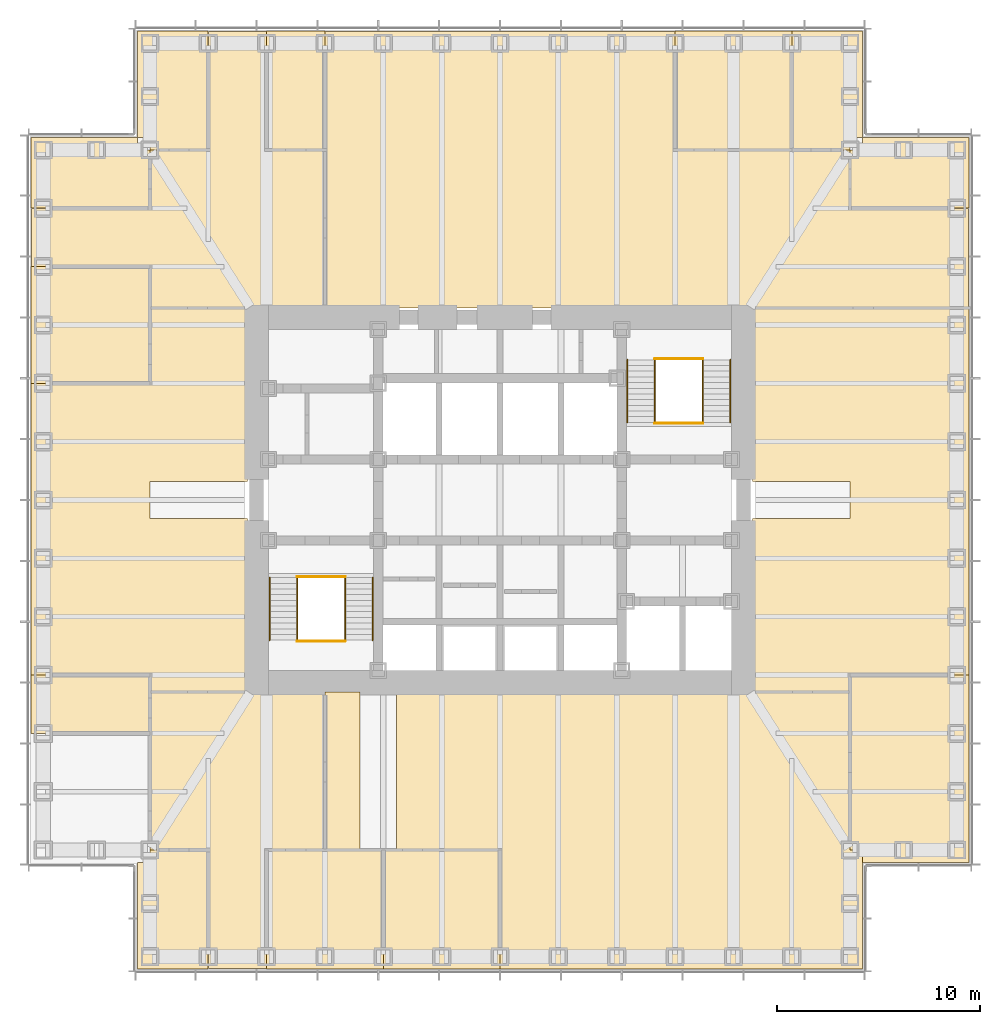
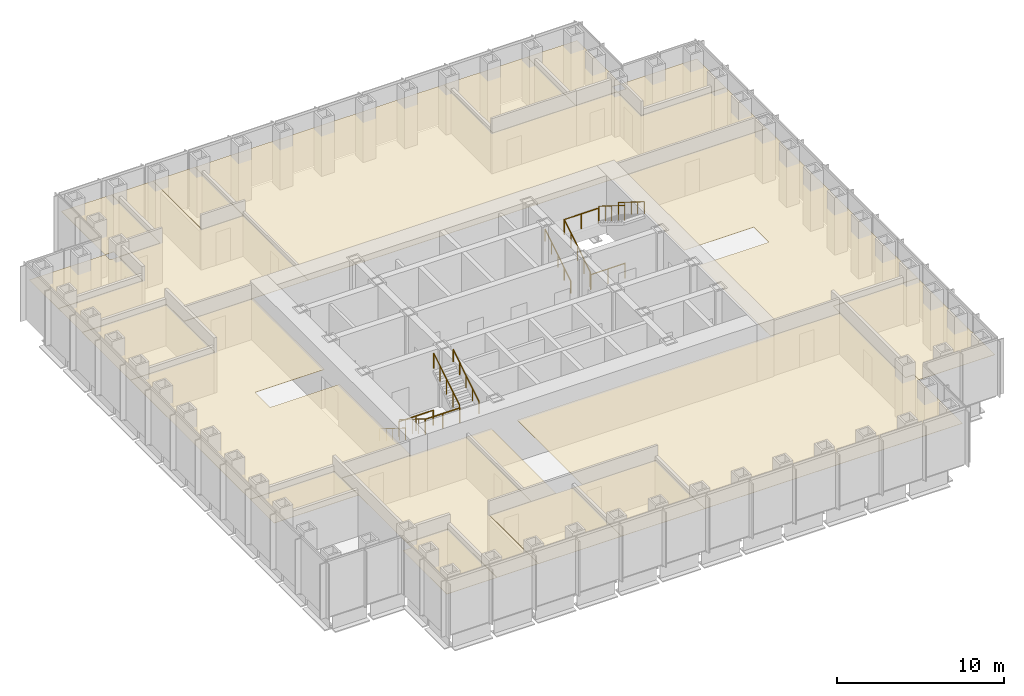
# One storey, part 17 of 17: 19 coverings, 12 railings.
"""IFC4 building model written with IfcOpenShell, lengths in metres."""

from ifc_helpers import new_model, si_unit, direction, frame, origin, origin_2d, place, context, subcontext, project, spatial, polyline, circle, outline, extrude, material, layer, layer_set, type_object, element, save


model = new_model("IFC4")

# Units and contexts
model_context = context("Model", 3, precision=1e-05, world=origin(), true_north=direction((0.0, 1.0)))
body_context = subcontext(model_context, "Body", "Model", "MODEL_VIEW")
ifc_project = project(units=[si_unit("LENGTHUNIT", "METRE"), si_unit("AREAUNIT", "SQUARE_METRE"), si_unit("VOLUMEUNIT", "CUBIC_METRE"), si_unit("PLANEANGLEUNIT", "RADIAN"), si_unit("MASSUNIT", "GRAM", prefix="KILO")], contexts=[model_context])

# Site, building, storey
site_placement = place(None, origin())
site = spatial("IfcSite", under=ifc_project, at=site_placement, CompositionType="ELEMENT")
building_placement = place(site_placement, origin())
building = spatial("IfcBuilding", under=site, at=building_placement, Name="Daluyong Arena Tower", CompositionType="ELEMENT")
storey_placement = place(building_placement, frame((0.0, 0.0, 154.300048828125)))
storey = spatial("IfcBuildingStorey", under=building, at=storey_placement, Name="L34", CompositionType="ELEMENT", Elevation=154.300048828125)

# Coverings
ifc_material_1 = material(Name="Mineral fibre ceiling tile", Category="gypsum board")
ifc_layer = layer(ifc_material_1, 0.02001953125)
ifc_layer_set = layer_set([ifc_layer], Name="Mineral fibre ceiling tile")
covering_type = type_object("IfcCoveringType", Name="Office ceiling", PredefinedType="CEILING", material=ifc_layer_set)
covering_1_placement = place(storey_placement, frame((0.0, 0.0, 2.89990234375)))
element("IfcCovering", 1, at=covering_1_placement, inside=storey, type_object=covering_type, Name="ceiling L34-01", PredefinedType="CEILING", context=body_context, shape_type="SweptSolid", body=[
    extrude(outline(polyline([(38.14990234375, 62.14990234375), (38.14990234375, 56.89990234375), (41.625, 56.89990234375), (41.625, 62.75), (38.75, 62.75), (38.75, 62.14990234375), (38.14990234375, 62.14990234375)])), origin(), (0.0, 0.0, 1.0), 0.02001953125),
])
covering_2_placement = place(storey_placement, frame((0.0, 0.0, 2.89990234375)))
element("IfcCovering", 2, at=covering_2_placement, inside=storey, type_object=covering_type, Name="ceiling L34-02", PredefinedType="CEILING", context=body_context, shape_type="SweptSolid", body=[
    extrude(outline(polyline([(44.5, 62.75), (44.5, 56.89990234375), (50.25, 56.89990234375), (50.25, 62.75), (44.5, 62.75)])), origin(), (0.0, 0.0, 1.0), 0.02001953125),
])
covering_3_placement = place(storey_placement, frame((0.0, 0.0, 2.89990234375)))
element("IfcCovering", 3, at=covering_3_placement, inside=storey, type_object=covering_type, Name="ceiling L34-03", PredefinedType="CEILING", context=body_context, shape_type="SweptSolid", body=[
    extrude(outline(polyline([(50.25, 62.75), (50.25, 56.89990234375), (56.0, 56.89990234375), (56.0, 62.75), (50.25, 62.75)])), origin(), (0.0, 0.0, 1.0), 0.02001953125),
])
covering_4_placement = place(storey_placement, frame((0.0, 0.0, 2.89990234375)))
element("IfcCovering", 4, at=covering_4_placement, inside=storey, type_object=covering_type, Name="ceiling L34-04", PredefinedType="CEILING", context=body_context, shape_type="SweptSolid", body=[
    extrude(outline(polyline([(73.85009765625, 62.14990234375), (79.10009765625, 62.14990234375), (79.10009765625, 71.375), (73.25, 71.375), (73.25, 62.75), (73.85009765625, 62.75), (73.85009765625, 62.14990234375)])), origin(), (0.0, 0.0, 1.0), 0.02001953125),
])
covering_5_placement = place(storey_placement, frame((0.0, 0.0, 2.89990234375)))
element("IfcCovering", 5, at=covering_5_placement, inside=storey, type_object=covering_type, Name="ceiling L34-05", PredefinedType="CEILING", context=body_context, shape_type="SweptSolid", body=[
    extrude(outline(polyline([(73.25, 94.375), (79.10009765625, 94.375), (79.10009765625, 97.85009765625), (73.85009765625, 97.85009765625), (73.85009765625, 97.25), (73.25, 97.25), (73.25, 94.375)])), origin(), (0.0, 0.0, 1.0), 0.02001953125),
])
covering_6_placement = place(storey_placement, frame((0.0, 0.0, 2.89990234375)))
element("IfcCovering", 6, at=covering_6_placement, inside=storey, type_object=covering_type, Name="ceiling L34-06", PredefinedType="CEILING", context=body_context, shape_type="SweptSolid", body=[
    extrude(outline(polyline([(41.625, 97.25), (41.625, 103.10009765625), (38.14990234375, 103.10009765625), (38.14990234375, 97.85009765625), (38.75, 97.85009765625), (38.75, 97.25), (41.625, 97.25)])), origin(), (0.0, 0.0, 1.0), 0.02001953125),
])
covering_7_placement = place(storey_placement, frame((0.0, 0.0, 2.89990234375)))
element("IfcCovering", 7, at=covering_7_placement, inside=storey, type_object=covering_type, Name="ceiling L34-07", PredefinedType="CEILING", context=body_context, shape_type="SweptSolid", body=[
    extrude(outline(polyline([(47.375, 97.25), (47.375, 103.10009765625), (44.5, 103.10009765625), (44.5, 97.25), (47.375, 97.25)])), origin(), (0.0, 0.0, 1.0), 0.02001953125),
])
covering_8_placement = place(storey_placement, frame((0.0, 0.0, 2.89990234375)))
element("IfcCovering", 8, at=covering_8_placement, inside=storey, type_object=covering_type, Name="ceiling L34-08", PredefinedType="CEILING", context=body_context, shape_type="SweptSolid", body=[
    extrude(outline(polyline([(70.375, 97.25), (70.375, 103.10009765625), (64.625, 103.10009765625), (64.625, 97.25), (70.375, 97.25)])), origin(), (0.0, 0.0, 1.0), 0.02001953125),
])
covering_9_placement = place(storey_placement, frame((0.0, 0.0, 2.89990234375)))
element("IfcCovering", 9, at=covering_9_placement, inside=storey, type_object=covering_type, Name="ceiling L34-09", PredefinedType="CEILING", context=body_context, shape_type="SweptSolid", body=[
    extrude(outline(polyline([(70.375, 97.25), (73.25, 97.25), (73.25, 97.85009765625), (73.85009765625, 97.85009765625), (73.85009765625, 103.10009765625), (70.375, 103.10009765625), (70.375, 97.25)])), origin(), (0.0, 0.0, 1.0), 0.02001953125),
])
covering_10_placement = place(storey_placement, frame((0.0, 0.0, 2.89990234375)))
element("IfcCovering", 10, at=covering_10_placement, inside=storey, type_object=covering_type, Name="ceiling L34-11", PredefinedType="CEILING", context=body_context, shape_type="SweptSolid", body=[
    extrude(outline(polyline([(38.75, 71.375), (32.89990234375, 71.375), (32.89990234375, 68.5), (38.75, 68.5), (38.75, 71.375)])), origin(), (0.0, 0.0, 1.0), 0.02001953125),
])
covering_11_placement = place(storey_placement, frame((0.0, 0.0, 2.89990234375)))
element("IfcCovering", 11, at=covering_11_placement, inside=storey, type_object=covering_type, Name="ceiling L34-12", PredefinedType="CEILING", context=body_context, shape_type="SweptSolid", body=[
    extrude(outline(polyline([(38.75, 91.5), (32.89990234375, 91.5), (32.89990234375, 85.75), (38.75, 85.75), (38.75, 91.5)])), origin(), (0.0, 0.0, 1.0), 0.02001953125),
])
covering_12_placement = place(storey_placement, frame((0.0, 0.0, 2.89990234375)))
element("IfcCovering", 12, at=covering_12_placement, inside=storey, type_object=covering_type, Name="ceiling L34-13", PredefinedType="CEILING", context=body_context, shape_type="SweptSolid", body=[
    extrude(outline(polyline([(38.75, 94.375), (38.75, 97.25), (38.14990234375, 97.25), (38.14990234375, 97.85009765625), (32.89990234375, 97.85009765625), (32.89990234375, 94.375), (38.75, 94.375)])), origin(), (0.0, 0.0, 1.0), 0.02001953125),
])
covering_13_placement = place(storey_placement, frame((0.0, 0.0, 2.89990234375)))
element("IfcCovering", 13, at=covering_13_placement, inside=storey, type_object=covering_type, Name="ceiling L34-17", PredefinedType="CEILING", context=body_context, shape_type="SweptSolid", body=[
    extrude(outline(polyline([(79.10009765625, 71.375), (79.10009765625, 89.449951171875), (68.449951171875, 89.449951171875), (68.449951171875, 80.89990234375), (73.25, 80.89990234375), (73.25, 79.10009765625), (68.449951171875, 79.10009765625), (68.449951171875, 70.550048828125), (73.25, 70.550048828125), (73.25, 71.375), (79.10009765625, 71.375)])), origin(), (0.0, 0.0, 1.0), 0.02001953125),
])
covering_14_placement = place(storey_placement, frame((0.0, 0.0, 2.89990234375)))
element("IfcCovering", 14, at=covering_14_placement, inside=storey, type_object=covering_type, Name="ceiling L34-18", PredefinedType="CEILING", context=body_context, shape_type="SweptSolid", body=[
    extrude(outline(polyline([(43.550048828125, 80.89990234375), (43.550048828125, 89.449951171875), (38.75, 89.449951171875), (38.75, 85.75), (32.89990234375, 85.75), (32.89990234375, 71.375), (38.75, 71.375), (38.75, 70.550048828125), (43.550048828125, 70.550048828125), (43.550048828125, 79.10009765625), (38.75, 79.10009765625), (38.75, 80.89990234375), (43.550048828125, 80.89990234375)])), origin(), (0.0, 0.0, 1.0), 0.02001953125),
])
covering_15_placement = place(storey_placement, frame((0.0, 0.0, 2.89990234375)))
element("IfcCovering", 15, at=covering_15_placement, inside=storey, type_object=covering_type, Name="ceiling L34-19", PredefinedType="CEILING", context=body_context, shape_type="SweptSolid", body=[
    extrude(outline(polyline([(38.760009765625, 62.760009765625), (41.635009765625, 62.760009765625), (41.635009765625, 56.909912109375), (44.489990234375, 56.909912109375), (44.489990234375, 62.760009765625), (47.364990234375, 62.760009765625), (47.364990234375, 70.5400390625), (38.760009765625, 70.5400390625), (38.760009765625, 62.760009765625)])), origin(), (0.0, 0.0, 1.0), 0.02001953125),
])
covering_16_placement = place(storey_placement, frame((0.0, 0.0, 2.89990234375)))
element("IfcCovering", 16, at=covering_16_placement, inside=storey, type_object=covering_type, Name="ceiling L34-20", PredefinedType="CEILING", context=body_context, shape_type="SweptSolid", body=[
    extrude(outline(polyline([(73.25, 62.75), (73.25, 70.550048828125), (50.89990234375, 70.550048828125), (50.89990234375, 62.75), (56.0, 62.75), (56.0, 56.89990234375), (73.85009765625, 56.89990234375), (73.85009765625, 62.75), (73.25, 62.75)])), origin(), (0.0, 0.0, 1.0), 0.02001953125),
])
covering_17_placement = place(storey_placement, frame((0.0, 0.0, 2.89990234375)))
element("IfcCovering", 17, at=covering_17_placement, inside=storey, type_object=covering_type, Name="ceiling L34-21", PredefinedType="CEILING", context=body_context, shape_type="SweptSolid", body=[
    extrude(outline(polyline([(49.10009765625, 70.550048828125), (47.375, 70.550048828125), (47.375, 62.75), (49.10009765625, 62.75), (49.10009765625, 70.550048828125)])), origin(), (0.0, 0.0, 1.0), 0.02001953125),
])
covering_18_placement = place(storey_placement, frame((0.0, 0.0, 2.89990234375)))
element("IfcCovering", 18, at=covering_18_placement, inside=storey, type_object=covering_type, Name="ceiling L34-22", PredefinedType="CEILING", context=body_context, shape_type="SweptSolid", body=[
    extrude(outline(polyline([(38.760009765625, 97.239990234375), (38.760009765625, 94.364990234375), (32.909912109375, 94.364990234375), (32.909912109375, 91.510009765625), (38.760009765625, 91.510009765625), (38.760009765625, 89.4599609375), (47.364990234375, 89.4599609375), (47.364990234375, 97.239990234375), (44.489990234375, 97.239990234375), (44.489990234375, 103.090087890625), (41.635009765625, 103.090087890625), (41.635009765625, 97.239990234375), (38.760009765625, 97.239990234375)])), origin(), (0.0, 0.0, 1.0), 0.02001953125),
])
covering_19_placement = place(storey_placement, frame((0.0, 0.0, 2.89990234375)))
element("IfcCovering", 19, at=covering_19_placement, inside=storey, type_object=covering_type, Name="ceiling L34-23", PredefinedType="CEILING", context=body_context, shape_type="SweptSolid", body=[
    extrude(outline(polyline([(64.614990234375, 103.090087890625), (47.385009765625, 103.090087890625), (47.385009765625, 89.4599609375), (79.090087890625, 89.4599609375), (79.090087890625, 94.364990234375), (73.239990234375, 94.364990234375), (73.239990234375, 97.239990234375), (64.614990234375, 97.239990234375), (64.614990234375, 103.090087890625)])), origin(), (0.0, 0.0, 1.0), 0.02001953125),
])

# Railings
ifc_material_2 = material(Name="Stainless steel handrail", Category="steel")
railing_type_1 = type_object("IfcRailingType", Name="Stair handrail", PredefinedType="HANDRAIL", material=ifc_material_2)
railing_1_placement = place(storey_placement, frame((44.64990234375, 76.175048828125, 0.175048828125)))
element("IfcRailing", 20, at=railing_1_placement, inside=storey, type_object=railing_type_1, Name="exit stair A handrail L34", PredefinedType="HANDRAIL", context=body_context, shape_type="SweptSolid", body=[
    extrude(circle(Radius=0.02392578125, at=origin_2d()), frame((0.0, 0.0, 0.8759765625), z_axis=(0.0, -0.848028513186, 0.529950602248), x_axis=(1.0, 0.0, 0.0)), (0.0, 0.0, 1.0), 3.632080078125),
    extrude(circle(Radius=0.02099609375, at=origin_2d()), origin(), (0.0, 0.0, 1.0), 0.851806640625),
    extrude(circle(Radius=0.02099609375, at=origin_2d()), frame((0.0, -0.77001953125, 0.481201171875)), (0.0, 0.0, 1.0), 0.851806640625),
    extrude(circle(Radius=0.02099609375, at=origin_2d()), frame((0.0, -1.5400390625, 0.96240234375)), (0.0, 0.0, 1.0), 0.851806640625),
    extrude(circle(Radius=0.02099609375, at=origin_2d()), frame((0.0, -2.31005859375, 1.443603515625)), (0.0, 0.0, 1.0), 0.851806640625),
    extrude(circle(Radius=0.02099609375, at=origin_2d()), frame((0.0, -3.080078125, 1.9248046875)), (0.0, 0.0, 1.0), 0.851806640625),
])
railing_2_placement = place(storey_placement, frame((49.72509765625, 73.094970703125, 2.27490234375)))
element("IfcRailing", 21, at=railing_2_placement, inside=storey, type_object=railing_type_1, Name="exit stair A handrail L34", PredefinedType="HANDRAIL", context=body_context, shape_type="SweptSolid", body=[
    extrude(circle(Radius=0.02392578125, at=origin_2d()), frame((0.0, 0.0, 0.8759765625), z_axis=(0.0, 0.847998304005, 0.529998940003), x_axis=(-1.0, 0.0, 0.0)), (0.0, 0.0, 1.0), 3.632080078125),
    extrude(circle(Radius=0.02099609375, at=origin_2d()), origin(), (0.0, 0.0, 1.0), 0.851806640625),
    extrude(circle(Radius=0.02099609375, at=origin_2d()), frame((0.0, 0.77001953125, 0.481201171875)), (0.0, 0.0, 1.0), 0.851806640625),
    extrude(circle(Radius=0.02099609375, at=origin_2d()), frame((0.0, 1.5400390625, 0.96240234375)), (0.0, 0.0, 1.0), 0.851806640625),
    extrude(circle(Radius=0.02099609375, at=origin_2d()), frame((0.0, 2.31005859375, 1.44384765625)), (0.0, 0.0, 1.0), 0.851806640625),
    extrude(circle(Radius=0.02099609375, at=origin_2d()), frame((0.0, 3.080078125, 1.925048828125)), (0.0, 0.0, 1.0), 0.851806640625),
])
railing_3_placement = place(storey_placement, frame((62.27490234375, 83.824951171875, 0.175048828125)))
element("IfcRailing", 22, at=railing_3_placement, inside=storey, type_object=railing_type_1, Name="exit stair B handrail L34", PredefinedType="HANDRAIL", context=body_context, shape_type="SweptSolid", body=[
    extrude(circle(Radius=0.02392578125, at=origin_2d()), frame((0.0, 0.0, 0.8759765625), z_axis=(0.0, 0.848028513186, 0.529950602248), x_axis=(-1.0, 0.0, 0.0)), (0.0, 0.0, 1.0), 3.632080078125),
    extrude(circle(Radius=0.02099609375, at=origin_2d()), origin(), (0.0, 0.0, 1.0), 0.851806640625),
    extrude(circle(Radius=0.02099609375, at=origin_2d()), frame((0.0, 0.77001953125, 0.481201171875)), (0.0, 0.0, 1.0), 0.851806640625),
    extrude(circle(Radius=0.02099609375, at=origin_2d()), frame((0.0, 1.5400390625, 0.96240234375)), (0.0, 0.0, 1.0), 0.851806640625),
    extrude(circle(Radius=0.02099609375, at=origin_2d()), frame((0.0, 2.31005859375, 1.443603515625)), (0.0, 0.0, 1.0), 0.851806640625),
    extrude(circle(Radius=0.02099609375, at=origin_2d()), frame((0.0, 3.080078125, 1.9248046875)), (0.0, 0.0, 1.0), 0.851806640625),
])
railing_4_placement = place(storey_placement, frame((67.35009765625, 86.905029296875, 2.27490234375)))
element("IfcRailing", 23, at=railing_4_placement, inside=storey, type_object=railing_type_1, Name="exit stair B handrail L34", PredefinedType="HANDRAIL", context=body_context, shape_type="SweptSolid", body=[
    extrude(circle(Radius=0.02392578125, at=origin_2d()), frame((0.0, 0.0, 0.8759765625), z_axis=(0.0, -0.847998304005, 0.529998940003), x_axis=(1.0, 0.0, 0.0)), (0.0, 0.0, 1.0), 3.632080078125),
    extrude(circle(Radius=0.02099609375, at=origin_2d()), origin(), (0.0, 0.0, 1.0), 0.851806640625),
    extrude(circle(Radius=0.02099609375, at=origin_2d()), frame((0.0, -0.77001953125, 0.481201171875)), (0.0, 0.0, 1.0), 0.851806640625),
    extrude(circle(Radius=0.02099609375, at=origin_2d()), frame((0.0, -1.5400390625, 0.96240234375)), (0.0, 0.0, 1.0), 0.851806640625),
    extrude(circle(Radius=0.02099609375, at=origin_2d()), frame((0.0, -2.31005859375, 1.44384765625)), (0.0, 0.0, 1.0), 0.851806640625),
    extrude(circle(Radius=0.02099609375, at=origin_2d()), frame((0.0, -3.080078125, 1.925048828125)), (0.0, 0.0, 1.0), 0.851806640625),
])
ifc_material_3 = material(Name="Steel balustrade", Category="steel")
railing_type_2 = type_object("IfcRailingType", Name="Stair well guard 1100", PredefinedType="GUARDRAIL", material=ifc_material_3)
railing_5_placement = place(storey_placement, frame((46.0, 76.175048828125, 0.175048828125)))
element("IfcRailing", 24, at=railing_5_placement, inside=storey, type_object=railing_type_2, Name="exit stair A well guard L34", PredefinedType="GUARDRAIL", context=body_context, shape_type="SweptSolid", body=[
    extrude(circle(Radius=0.02392578125, at=origin_2d()), frame((0.0, 0.0, 1.076171875), z_axis=(0.0, -0.848028513186, 0.529950602248), x_axis=(1.0, 0.0, 0.0)), (0.0, 0.0, 1.0), 3.632080078125),
    extrude(circle(Radius=0.02099609375, at=origin_2d()), origin(), (0.0, 0.0, 1.0), 1.052001953125),
    extrude(circle(Radius=0.02099609375, at=origin_2d()), frame((0.0, -0.77001953125, 0.481201171875)), (0.0, 0.0, 1.0), 1.052001953125),
    extrude(circle(Radius=0.02099609375, at=origin_2d()), frame((0.0, -1.5400390625, 0.96240234375)), (0.0, 0.0, 1.0), 1.052001953125),
    extrude(circle(Radius=0.02099609375, at=origin_2d()), frame((0.0, -2.31005859375, 1.443603515625)), (0.0, 0.0, 1.0), 1.052001953125),
    extrude(circle(Radius=0.02099609375, at=origin_2d()), frame((0.0, -3.080078125, 1.9248046875)), (0.0, 0.0, 1.0), 1.052001953125),
])
railing_6_placement = place(storey_placement, frame((48.375, 73.094970703125, 2.27490234375)))
element("IfcRailing", 25, at=railing_6_placement, inside=storey, type_object=railing_type_2, Name="exit stair A well guard L34", PredefinedType="GUARDRAIL", context=body_context, shape_type="SweptSolid", body=[
    extrude(circle(Radius=0.02392578125, at=origin_2d()), frame((0.0, 0.0, 1.076171875), z_axis=(0.0, 0.847998304005, 0.529998940003), x_axis=(-1.0, 0.0, 0.0)), (0.0, 0.0, 1.0), 3.632080078125),
    extrude(circle(Radius=0.02099609375, at=origin_2d()), origin(), (0.0, 0.0, 1.0), 1.052001953125),
    extrude(circle(Radius=0.02099609375, at=origin_2d()), frame((0.0, 0.77001953125, 0.481201171875)), (0.0, 0.0, 1.0), 1.052001953125),
    extrude(circle(Radius=0.02099609375, at=origin_2d()), frame((0.0, 1.5400390625, 0.96240234375)), (0.0, 0.0, 1.0), 1.052001953125),
    extrude(circle(Radius=0.02099609375, at=origin_2d()), frame((0.0, 2.31005859375, 1.44384765625)), (0.0, 0.0, 1.0), 1.052001953125),
    extrude(circle(Radius=0.02099609375, at=origin_2d()), frame((0.0, 3.080078125, 1.925048828125)), (0.0, 0.0, 1.0), 1.052001953125),
])
for number, where, name in (
    (26, (46.0, 73.044921875, 2.099853515625), "exit stair A landing guard L34"),
    (27, (46.0, 76.22509765625, 0.0), "exit stair A floor landing guard L34"),
):
    element("IfcRailing", number, at=place(storey_placement, frame(where)), inside=storey, type_object=railing_type_2, Name=name, PredefinedType="GUARDRAIL", context=body_context, shape_type="SweptSolid", body=[
        extrude(circle(Radius=0.02392578125, at=origin_2d()), frame((0.0, 0.0, 1.076171875), z_axis=(1.0, 0.0, 0.0), x_axis=(0.0, 1.0, 0.0)), (0.0, 0.0, 1.0), 2.375),
        extrude(circle(Radius=0.02099609375, at=origin_2d()), origin(), (0.0, 0.0, 1.0), 1.052001953125),
        extrude(circle(Radius=0.02099609375, at=origin_2d()), frame((1.1875, 0.0, 0.0)), (0.0, 0.0, 1.0), 1.052001953125),
        extrude(circle(Radius=0.02099609375, at=origin_2d()), frame((2.375, 0.0, 0.0)), (0.0, 0.0, 1.0), 1.052001953125),
    ])
railing_7_placement = place(storey_placement, frame((63.625, 83.824951171875, 0.175048828125)))
element("IfcRailing", 28, at=railing_7_placement, inside=storey, type_object=railing_type_2, Name="exit stair B well guard L34", PredefinedType="GUARDRAIL", context=body_context, shape_type="SweptSolid", body=[
    extrude(circle(Radius=0.02392578125, at=origin_2d()), frame((0.0, 0.0, 1.076171875), z_axis=(0.0, 0.848028513186, 0.529950602248), x_axis=(-1.0, 0.0, 0.0)), (0.0, 0.0, 1.0), 3.632080078125),
    extrude(circle(Radius=0.02099609375, at=origin_2d()), origin(), (0.0, 0.0, 1.0), 1.052001953125),
    extrude(circle(Radius=0.02099609375, at=origin_2d()), frame((0.0, 0.77001953125, 0.481201171875)), (0.0, 0.0, 1.0), 1.052001953125),
    extrude(circle(Radius=0.02099609375, at=origin_2d()), frame((0.0, 1.5400390625, 0.96240234375)), (0.0, 0.0, 1.0), 1.052001953125),
    extrude(circle(Radius=0.02099609375, at=origin_2d()), frame((0.0, 2.31005859375, 1.443603515625)), (0.0, 0.0, 1.0), 1.052001953125),
    extrude(circle(Radius=0.02099609375, at=origin_2d()), frame((0.0, 3.080078125, 1.9248046875)), (0.0, 0.0, 1.0), 1.052001953125),
])
railing_8_placement = place(storey_placement, frame((66.0, 86.905029296875, 2.27490234375)))
element("IfcRailing", 29, at=railing_8_placement, inside=storey, type_object=railing_type_2, Name="exit stair B well guard L34", PredefinedType="GUARDRAIL", context=body_context, shape_type="SweptSolid", body=[
    extrude(circle(Radius=0.02392578125, at=origin_2d()), frame((0.0, 0.0, 1.076171875), z_axis=(0.0, -0.847998304005, 0.529998940003), x_axis=(1.0, 0.0, 0.0)), (0.0, 0.0, 1.0), 3.632080078125),
    extrude(circle(Radius=0.02099609375, at=origin_2d()), origin(), (0.0, 0.0, 1.0), 1.052001953125),
    extrude(circle(Radius=0.02099609375, at=origin_2d()), frame((0.0, -0.77001953125, 0.481201171875)), (0.0, 0.0, 1.0), 1.052001953125),
    extrude(circle(Radius=0.02099609375, at=origin_2d()), frame((0.0, -1.5400390625, 0.96240234375)), (0.0, 0.0, 1.0), 1.052001953125),
    extrude(circle(Radius=0.02099609375, at=origin_2d()), frame((0.0, -2.31005859375, 1.44384765625)), (0.0, 0.0, 1.0), 1.052001953125),
    extrude(circle(Radius=0.02099609375, at=origin_2d()), frame((0.0, -3.080078125, 1.925048828125)), (0.0, 0.0, 1.0), 1.052001953125),
])
for number, where, name in (
    (30, (63.625, 86.955078125, 2.099853515625), "exit stair B landing guard L34"),
    (31, (63.625, 83.77490234375, 0.0), "exit stair B floor landing guard L34"),
):
    element("IfcRailing", number, at=place(storey_placement, frame(where)), inside=storey, type_object=railing_type_2, Name=name, PredefinedType="GUARDRAIL", context=body_context, shape_type="SweptSolid", body=[
        extrude(circle(Radius=0.02392578125, at=origin_2d()), frame((0.0, 0.0, 1.076171875), z_axis=(1.0, 0.0, 0.0), x_axis=(0.0, 1.0, 0.0)), (0.0, 0.0, 1.0), 2.375),
        extrude(circle(Radius=0.02099609375, at=origin_2d()), origin(), (0.0, 0.0, 1.0), 1.052001953125),
        extrude(circle(Radius=0.02099609375, at=origin_2d()), frame((1.1875, 0.0, 0.0)), (0.0, 0.0, 1.0), 1.052001953125),
        extrude(circle(Radius=0.02099609375, at=origin_2d()), frame((2.375, 0.0, 0.0)), (0.0, 0.0, 1.0), 1.052001953125),
    ])

save(model, "model.ifc")
